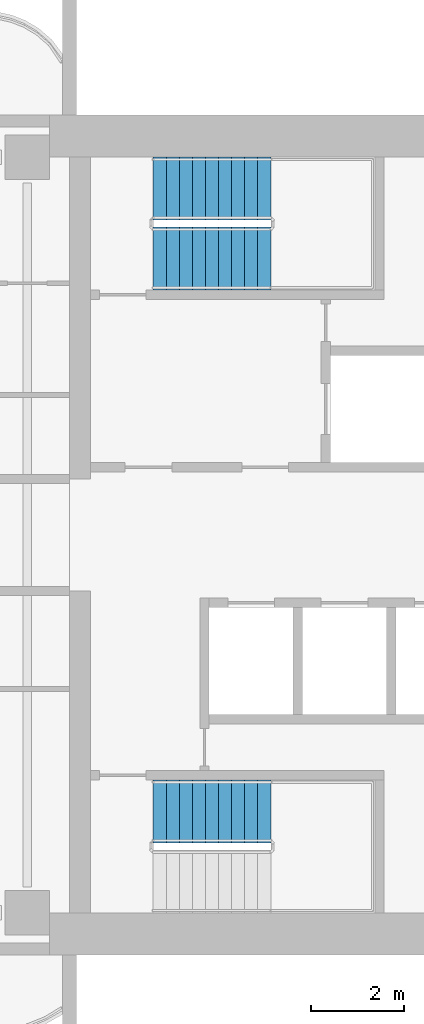
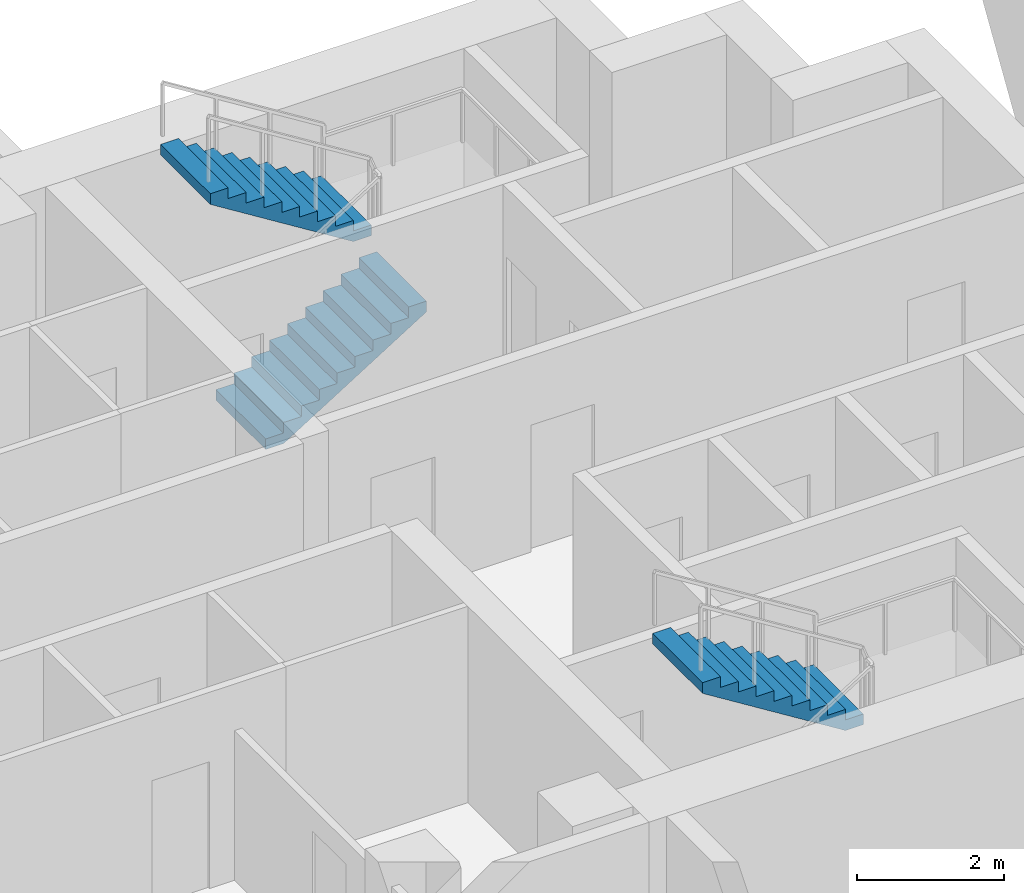
# One storey, part 14 of 18: 3 stair flights, 2 elements without a shape of their own.
"""IFC4 building model written with IfcOpenShell, lengths in metres."""

import ifcopenshell
import ifcopenshell.guid

model = None  # the IFC model being written
_history = None  # IfcOwnerHistory: only IFC2X3 demands one
_inside = {}  # id of a spatial element -> (the spatial element, [elements in it])
_under = {}  # id of a project, library or spatial element -> (it, [spatial elements below it])
_declared = {}  # id of a project -> (the project, [libraries it declares])
_typed = {}  # id of a type object -> (the type object, [elements of that type])
_made_of = {}  # id of a material, layer set ... -> (it, [elements and type objects made of it])


def new_model(schema):
    """Start an empty IFC model of exactly this schema.

    Asked for "IFC4X3", IfcOpenShell would pick the latest addendum, in which some entities
    have other attributes; the version numbers below select the first issue.
    IFC2X3 requires an IfcOwnerHistory on every rooted entity: one is made here for all.
    """
    global model, _history
    if schema == "IFC4X3":
        model = ifcopenshell.file(schema_version=(4, 3, 0, 0))
    else:
        model = ifcopenshell.file(schema=schema)
    _inside.clear()
    _under.clear()
    _declared.clear()
    _typed.clear()
    _made_of.clear()
    _history = None
    if model.schema == "IFC2X3":
        org = make("IfcOrganization", Name="unknown")
        user = make(
            "IfcPersonAndOrganization",
            ThePerson=make("IfcPerson", FamilyName="unknown"),
            TheOrganization=org,
        )
        app = make(
            "IfcApplication",
            ApplicationDeveloper=org,
            Version="unknown",
            ApplicationFullName="unknown",
            ApplicationIdentifier="unknown",
        )
        _history = make(
            "IfcOwnerHistory",
            OwningUser=user,
            OwningApplication=app,
            ChangeAction="ADDED",
            CreationDate=0,
        )
    return model


def make(cls, **values):
    """One entity of the class cls with the attributes given. An attribute that is None is left unset."""
    return model.create_entity(
        cls, **{name: value for name, value in values.items() if value is not None}
    )


def rooted(cls, **values):
    """An entity with a GlobalId (a new one), such as an element, a storey or a relation."""
    return make(cls, GlobalId=ifcopenshell.guid.new(), OwnerHistory=_history, **values)


def si_unit(unit_type, name, prefix=None):
    """IfcSIUnit, for example si_unit("LENGTHUNIT", "METRE", prefix="MILLI")."""
    return make("IfcSIUnit", UnitType=unit_type, Prefix=prefix, Name=name)


def assignment(units):
    """IfcUnitAssignment: the units of a project."""
    return None if units is None else make("IfcUnitAssignment", Units=units)


def point(xyz):
    """IfcCartesianPoint."""
    return None if xyz is None else make("IfcCartesianPoint", Coordinates=xyz)


def direction(xyz):
    """IfcDirection."""
    return None if xyz is None else make("IfcDirection", DirectionRatios=xyz)


def frame(location, z_axis=None, x_axis=None):
    """IfcAxis2Placement3D, a coordinate frame: its origin and axes. An axis left out is left unset."""
    return make(
        "IfcAxis2Placement3D",
        Location=point(location),
        Axis=direction(z_axis),
        RefDirection=direction(x_axis),
    )


def origin():
    """The frame at (0, 0, 0) with its axes left unset."""
    return frame((0.0, 0.0, 0.0))


def place(relative_to, where):
    """IfcLocalPlacement: puts the frame where relative to a parent placement (None: the world)."""
    return make(
        "IfcLocalPlacement", PlacementRelTo=relative_to, RelativePlacement=where
    )


def context(
    kind, dimensions, precision=None, world=None, true_north=None, identifier=None
):
    """IfcGeometricRepresentationContext, for example the 3D "Model" context."""
    return make(
        "IfcGeometricRepresentationContext",
        ContextIdentifier=identifier,
        ContextType=kind,
        CoordinateSpaceDimension=dimensions,
        Precision=precision,
        WorldCoordinateSystem=world,
        TrueNorth=true_north,
    )


def subcontext(parent, identifier, kind, view, scale=None):
    """IfcGeometricRepresentationSubContext, for example "Body" below "Model"."""
    return make(
        "IfcGeometricRepresentationSubContext",
        ContextIdentifier=identifier,
        ContextType=kind,
        ParentContext=parent,
        TargetScale=scale,
        TargetView=view,
    )


def project(units=None, contexts=None):
    """IfcProject with its units and contexts."""
    return rooted(
        "IfcProject",
        Name="project",
        RepresentationContexts=contexts,
        UnitsInContext=assignment(units),
    )


def spatial(cls, under=None, at=None, **own):
    """A site, building, storey or space (cls), placed at a placement, below another one or the project."""
    s = rooted(cls, ObjectPlacement=at, **own)
    if under is not None:
        _under.setdefault(under.id(), (under, []))[1].append(s)
    return s


def polyline(points):
    """IfcPolyline through the points."""
    return make("IfcPolyline", Points=[point(p) for p in points])


def outline(outer, holes=None, kind="AREA"):
    """IfcArbitraryClosedProfileDef: a profile drawn as a closed curve; with holes, ...WithVoids."""
    if holes is None:
        return make("IfcArbitraryClosedProfileDef", ProfileType=kind, OuterCurve=outer)
    return make(
        "IfcArbitraryProfileDefWithVoids",
        ProfileType=kind,
        OuterCurve=outer,
        InnerCurves=holes,
    )


def extrude(swept, where, along, depth):
    """IfcExtrudedAreaSolid: the profile swept, set in the frame where, extruded along a direction by depth."""
    return make(
        "IfcExtrudedAreaSolid",
        SweptArea=swept,
        Position=where,
        ExtrudedDirection=direction(along),
        Depth=depth,
    )


def shape(context_of_items, identifier, shape_type, items):
    """IfcShapeRepresentation: the items that make up one representation, for example the "Body"."""
    return make(
        "IfcShapeRepresentation",
        ContextOfItems=context_of_items,
        RepresentationIdentifier=identifier,
        RepresentationType=shape_type,
        Items=items,
    )


def material(Name=None, Category=None):
    """IfcMaterial."""
    return make("IfcMaterial", Name=Name, Category=Category)


def made_of(thing, what):
    """Note that an element or type object is made of a material, layer set ...; save() writes the relation."""
    if what is not None:
        _made_of.setdefault(what.id(), (what, []))[1].append(thing)
    return thing


def type_object(cls, material=None, **own):
    """A type object (cls), such as IfcWallType, which elements share."""
    return made_of(rooted(cls, **own), material)


def element(
    cls,
    number,
    at=None,
    inside=None,
    cuts=None,
    type_object=None,
    material=None,
    context=None,
    identifier="Body",
    shape_type=None,
    held_by="IfcProductDefinitionShape",
    body=None,
    shapes=None,
    **own,
):
    """One element of the class cls, such as IfcWall. Its Tag is "e" and its number.

    at: its placement. inside: the storey or other place that contains it. cuts: it is an
    opening in that element (IfcRelVoidsElement). A single representation is given by context,
    identifier, shape_type and body (its items); several are given by shapes. held_by: the class
    of the entity that holds the representations. save() writes the other relations.
    """
    e = rooted(cls, Tag="e%d" % number, ObjectPlacement=at, **own)
    if body is not None:
        shapes = [shape(context, identifier, shape_type, body)]
    if shapes is not None:
        e.Representation = make(held_by, Representations=shapes)
    if inside is not None:
        _inside.setdefault(inside.id(), (inside, []))[1].append(e)
    if cuts is not None:
        rooted(
            "IfcRelVoidsElement", RelatingBuildingElement=cuts, RelatedOpeningElement=e
        )
    if type_object is not None:
        _typed.setdefault(type_object.id(), (type_object, []))[1].append(e)
    return made_of(e, material)


def aggregate(whole, parts):
    """IfcRelAggregates: a whole, such as a stair, and the parts it consists of."""
    return rooted("IfcRelAggregates", RelatingObject=whole, RelatedObjects=parts)


def save(model, path):
    """Write the relations noted so far, then the file.

    IfcRelAggregates (storeys below a building ...), IfcRelContainedInSpatialStructure (elements
    in a storey), IfcRelDefinesByType, IfcRelAssociatesMaterial and IfcRelDeclares: one each for
    every whole, place, type object, material and project.
    """
    for whole, parts in _under.values():
        aggregate(whole, parts)
    for where, things in _inside.values():
        rooted(
            "IfcRelContainedInSpatialStructure",
            RelatedElements=things,
            RelatingStructure=where,
        )
    for kind, things in _typed.values():
        rooted("IfcRelDefinesByType", RelatedObjects=things, RelatingType=kind)
    for what, things in _made_of.values():
        rooted("IfcRelAssociatesMaterial", RelatedObjects=things, RelatingMaterial=what)
    for by, libraries in _declared.values():
        rooted("IfcRelDeclares", RelatingContext=by, RelatedDefinitions=libraries)
    model.write(path)


model = new_model("IFC4")

# Units and contexts
model_context = context("Model", 3, precision=1e-05, world=origin(), true_north=direction((0.0, 1.0)))
body_context = subcontext(model_context, "Body", "Model", "MODEL_VIEW")
ifc_project = project(units=[si_unit("LENGTHUNIT", "METRE"), si_unit("AREAUNIT", "SQUARE_METRE"), si_unit("VOLUMEUNIT", "CUBIC_METRE"), si_unit("PLANEANGLEUNIT", "RADIAN"), si_unit("MASSUNIT", "GRAM", prefix="KILO")], contexts=[model_context])

# Site, building, storey
site_placement = place(None, origin())
site = spatial("IfcSite", under=ifc_project, at=site_placement, CompositionType="ELEMENT")
building_placement = place(site_placement, origin())
building = spatial("IfcBuilding", under=site, at=building_placement, Name="Perihelion Cross Residences", CompositionType="ELEMENT")
storey_placement = place(building_placement, frame((0.0, 0.0, 166.60009765625)))
storey = spatial("IfcBuildingStorey", under=building, at=storey_placement, Name="L40", CompositionType="ELEMENT", Elevation=166.60009765625)

# Stair, stair flights
ifc_material_1 = material(Name="Concrete C40/50", Category="concrete")
stair_type = type_object("IfcStairType", Name="Exit stair, half-turn", PredefinedType="HALF_TURN_STAIR", material=ifc_material_1)
stair_1_placement = place(storey_placement, origin())
stair_1 = element("IfcStair", 1, at=stair_1_placement, inside=storey, type_object=stair_type, Name="L40 East core exit stair 1", PredefinedType="HALF_TURN_STAIR")
ifc_material_2 = material(Name="Concrete C40/50", Category="concrete")
stair_flight_type = type_object("IfcStairFlightType", Name="Exit stair flight", PredefinedType="STRAIGHT", material=ifc_material_2)
stair_flight_1_placement = place(storey_placement, frame((23.39990234375, 5.925048828125, 0.0), z_axis=(0.0, 0.0, 1.0), x_axis=(1.0, 0.0, 0.0)))
stair_flight_1 = element("IfcStairFlight", 2, at=stair_flight_1_placement, type_object=stair_flight_type, Name="ST-E1 flight 1", NumberOfRisers=10, NumberOfTreads=9, PredefinedType="STRAIGHT", RiserHeight=0.175, TreadLength=0.28, context=body_context, shape_type="SweptSolid", body=[
    extrude(outline(polyline([(0.0, 0.0), (0.0, 0.175048828125), (0.280029296875, 0.175048828125), (0.280029296875, 0.35009765625), (0.56005859375, 0.35009765625), (0.56005859375, 0.52490234375), (0.840087890625, 0.52490234375), (0.840087890625, 0.699951171875), (1.1201171875, 0.699951171875), (1.1201171875, 0.875), (1.39990234375, 0.875), (1.39990234375, 1.050048828125), (1.679931640625, 1.050048828125), (1.679931640625, 1.22509765625), (1.9599609375, 1.22509765625), (1.9599609375, 1.39990234375), (2.239990234375, 1.39990234375), (2.239990234375, 1.574951171875), (2.52001953125, 1.574951171875), (2.52001953125, 1.75), (2.52001953125, 1.398193359375), (0.28271484375, 0.0), (0.0, 0.0)])), frame((0.0, 0.675048828125, 0.0), z_axis=(0.0, -1.0, 0.0), x_axis=(1.0, 0.0, 0.0)), (0.0, 0.0, 1.0), 1.35009765625),
])
stair_flight_2_placement = place(storey_placement, frame((25.919921875, 7.425048828125, 1.75), z_axis=(0.0, 0.0, 1.0), x_axis=(-1.0, 0.0, 0.0)))
stair_flight_2 = element("IfcStairFlight", 3, at=stair_flight_2_placement, type_object=stair_flight_type, Name="ST-E1 flight 2", NumberOfRisers=10, NumberOfTreads=9, PredefinedType="STRAIGHT", RiserHeight=0.175, TreadLength=0.28, context=body_context, shape_type="SweptSolid", body=[
    extrude(outline(polyline([(0.0, 0.0), (0.0, 0.175048828125), (0.280029296875, 0.175048828125), (0.280029296875, 0.35009765625), (0.56005859375, 0.35009765625), (0.56005859375, 0.52490234375), (0.840087890625, 0.52490234375), (0.840087890625, 0.699951171875), (1.1201171875, 0.699951171875), (1.1201171875, 0.875), (1.39990234375, 0.875), (1.39990234375, 1.050048828125), (1.679931640625, 1.050048828125), (1.679931640625, 1.22509765625), (1.9599609375, 1.22509765625), (1.9599609375, 1.39990234375), (2.239990234375, 1.39990234375), (2.239990234375, 1.574951171875), (2.52001953125, 1.574951171875), (2.52001953125, 1.75), (2.52001953125, 1.398193359375), (0.28271484375, 0.0), (0.0, 0.0)])), frame((0.0, 0.675048828125, 0.0), z_axis=(0.0, -1.0, 0.0), x_axis=(1.0, 0.0, 0.0)), (0.0, 0.0, 1.0), 1.35009765625),
])
aggregate(stair_1, [stair_flight_1, stair_flight_2])

# Stair, stair flight
stair_2_placement = place(storey_placement, origin())
stair_2 = element("IfcStair", 4, at=stair_2_placement, inside=storey, type_object=stair_type, Name="L40 East core exit stair 2", PredefinedType="HALF_TURN_STAIR")
stair_flight_3_placement = place(storey_placement, frame((25.919921875, -5.925048828125, 1.75), z_axis=(0.0, 0.0, 1.0), x_axis=(-1.0, 0.0, 0.0)))
stair_flight_3 = element("IfcStairFlight", 5, at=stair_flight_3_placement, type_object=stair_flight_type, Name="ST-E2 flight 2", NumberOfRisers=10, NumberOfTreads=9, PredefinedType="STRAIGHT", RiserHeight=0.175, TreadLength=0.28, context=body_context, shape_type="SweptSolid", body=[
    extrude(outline(polyline([(0.0, 0.0), (0.0, 0.175048828125), (0.280029296875, 0.175048828125), (0.280029296875, 0.35009765625), (0.56005859375, 0.35009765625), (0.56005859375, 0.52490234375), (0.840087890625, 0.52490234375), (0.840087890625, 0.699951171875), (1.1201171875, 0.699951171875), (1.1201171875, 0.875), (1.39990234375, 0.875), (1.39990234375, 1.050048828125), (1.679931640625, 1.050048828125), (1.679931640625, 1.22509765625), (1.9599609375, 1.22509765625), (1.9599609375, 1.39990234375), (2.239990234375, 1.39990234375), (2.239990234375, 1.574951171875), (2.52001953125, 1.574951171875), (2.52001953125, 1.75), (2.52001953125, 1.398193359375), (0.28271484375, 0.0), (0.0, 0.0)])), frame((0.0, 0.675048828125, 0.0), z_axis=(0.0, -1.0, 0.0), x_axis=(1.0, 0.0, 0.0)), (0.0, 0.0, 1.0), 1.35009765625),
])
aggregate(stair_2, [stair_flight_3])

save(model, "model.ifc")
